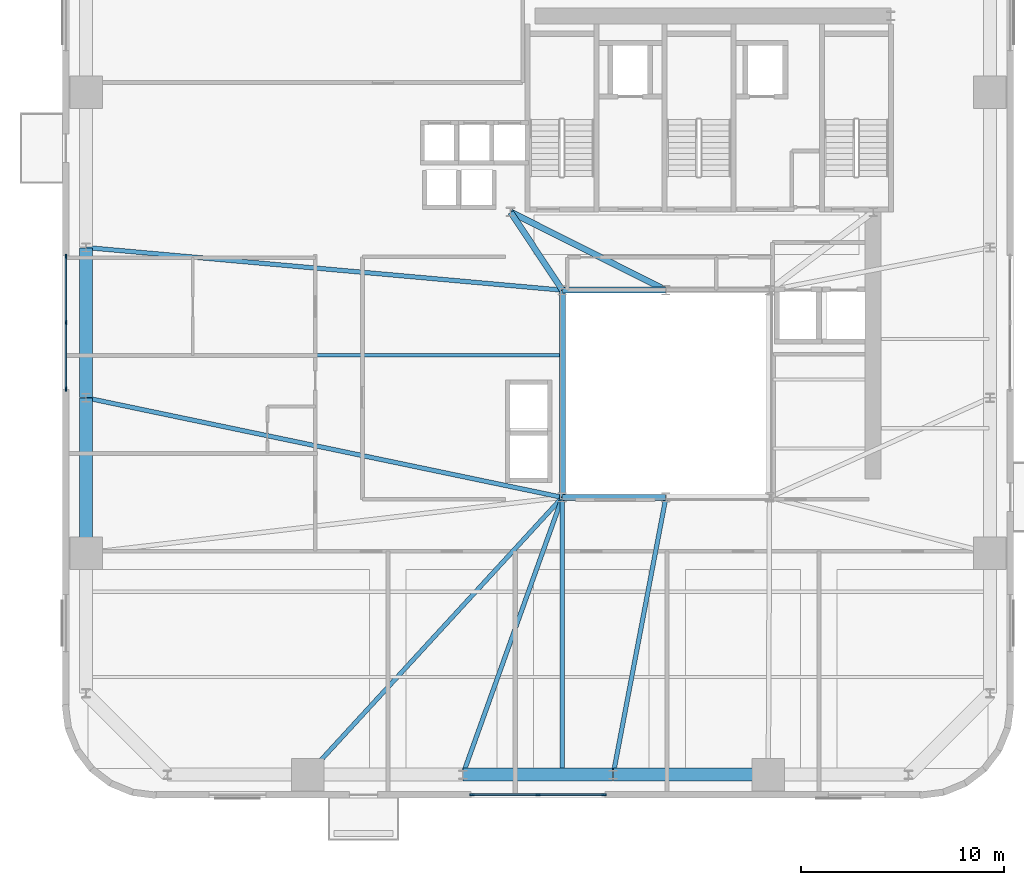
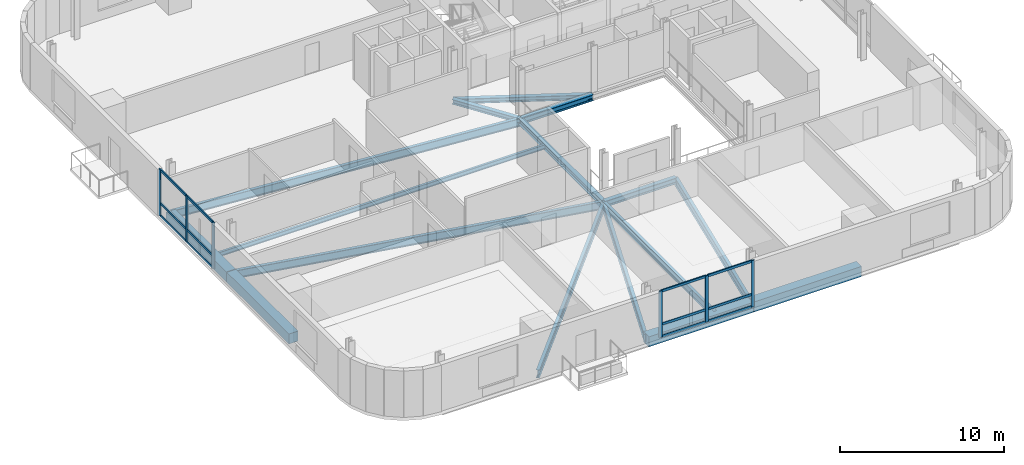
# One storey, part 2 of 12: 18 members, 16 beams, 2 elements without a shape of their own.
"""IFC4 building model written with IfcOpenShell, lengths in metres."""

from ifc_helpers import new_model, si_unit, direction, frame, origin, origin_2d, place, context, subcontext, project, spatial, rectangle, i_section, extrude, source, transform, mapped, material, material_profile, profile_set, type_object, element, aggregate, save


model = new_model("IFC4")

# Units and contexts
model_context = context("Model", 3, precision=1e-05, world=origin(), true_north=direction((0.0, 1.0)))
body_context = subcontext(model_context, "Body", "Model", "MODEL_VIEW")
ifc_project = project(units=[si_unit("LENGTHUNIT", "METRE"), si_unit("AREAUNIT", "SQUARE_METRE"), si_unit("VOLUMEUNIT", "CUBIC_METRE"), si_unit("PLANEANGLEUNIT", "RADIAN"), si_unit("MASSUNIT", "GRAM", prefix="KILO")], contexts=[model_context])

# Site, building, storey
site_placement = place(None, origin())
site = spatial("IfcSite", under=ifc_project, at=site_placement, CompositionType="ELEMENT")
building_placement = place(site_placement, origin())
building = spatial("IfcBuilding", under=site, at=building_placement, Name="Vardaveli Station Tower", CompositionType="ELEMENT")
storey_placement = place(building_placement, frame((0.0, 0.0, 118.699951171875)))
storey = spatial("IfcBuildingStorey", under=building, at=storey_placement, Name="L30", CompositionType="ELEMENT", Elevation=118.699951171875)

# Beams
ifc_material_1 = material(Name="Structural steel S355J2", Category="steel")
ifc_material_profile_1 = material_profile(ifc_material_1, i_section(OverallWidth=0.300048828125, OverallDepth=0.449951171875, WebThickness=0.013916015625, FlangeThickness=0.02587890625, FilletRadius=0.027099609375, at=origin_2d()), Name="HEB 450")
ifc_profile_set_1 = profile_set([ifc_material_profile_1], Name="Structural steel S355J2")
beam_type_1 = type_object("IfcBeamType", Name="BM-HEB450", PredefinedType="BEAM", material=ifc_profile_set_1)
shared_shape_1 = source(origin(), body_context, "Body", "SweptSolid", [
    extrude(i_section(OverallWidth=0.300048828125, OverallDepth=0.449951171875, WebThickness=0.013916015625, FlangeThickness=0.02587890625, FilletRadius=0.027099609375, at=origin_2d()), origin(), (0.0, 0.0, 1.0), 5.06005859375),
])
for number, where, z_axis, x_axis, name in (
    (1, (31.219970703125, 16.60009765625, -0.46484375), (1.0, 0.0, 0.0), (0.0, 1.0, 0.0), "ABM-L30-01"),
    (2, (36.280029296875, 26.800048828125, -0.46484375), (-1.0, 0.0, 0.0), (0.0, -1.0, 0.0), "ABM-L30-05"),
):
    element("IfcBeam", number, at=place(storey_placement, frame(where, z_axis=z_axis, x_axis=x_axis)), inside=storey, type_object=beam_type_1, Name=name, PredefinedType="BEAM", context=body_context, shape_type="MappedRepresentation", body=[
        mapped(shared_shape_1, transform((0.0, 0.0, 0.0), scale=1.0)),
    ])
shared_shape_2 = source(origin(), body_context, "Body", "SweptSolid", [
    extrude(i_section(OverallWidth=0.300048828125, OverallDepth=0.449951171875, WebThickness=0.013916015625, FlangeThickness=0.02587890625, FilletRadius=0.027099609375, at=origin_2d()), origin(), (0.0, 0.0, 1.0), 10.159912109375),
])
beam_1_placement = place(storey_placement, frame((31.199951171875, 26.780029296875, -0.46484375), z_axis=(0.0, -1.0, 0.0), x_axis=(1.0, 0.0, 0.0)))
element("IfcBeam", 3, at=beam_1_placement, inside=storey, type_object=beam_type_1, Name="ABM-L30-06", PredefinedType="BEAM", context=body_context, shape_type="MappedRepresentation", body=[
    mapped(shared_shape_2, transform((0.0, 0.0, 0.0), scale=1.0)),
])
ifc_material_profile_2 = material_profile(ifc_material_1, i_section(OverallWidth=0.300048828125, OverallDepth=0.360107421875, WebThickness=0.012451171875, FlangeThickness=0.0224609375, FilletRadius=0.027099609375, at=origin_2d()), Name="HEB 360")
ifc_profile_set_2 = profile_set([ifc_material_profile_2], Name="Structural steel S355J2")
beam_type_2 = type_object("IfcBeamType", Name="BM-HEB360", PredefinedType="BEAM", material=ifc_profile_set_2)
shared_shape_3 = source(origin(), body_context, "Body", "SweptSolid", [
    extrude(i_section(OverallWidth=0.300048828125, OverallDepth=0.360107421875, WebThickness=0.012451171875, FlangeThickness=0.0224609375, FilletRadius=0.027099609375, at=origin_2d()), origin(), (0.0, 0.0, 1.0), 4.577880859375),
])
beam_2_placement = place(storey_placement, frame((31.18896484375, 26.816650390625, -0.419921875), z_axis=(-0.55218702139, 0.833720272879, 0.0), x_axis=(-0.833720272879, -0.55218702139, 0.0)))
element("IfcBeam", 4, at=beam_2_placement, inside=storey, type_object=beam_type_2, Name="CBM-L30-01", PredefinedType="BEAM", context=body_context, shape_type="MappedRepresentation", body=[
    mapped(shared_shape_3, transform((0.0, 0.0, 0.0), scale=1.0)),
])
shared_shape_4 = source(origin(), body_context, "Body", "SweptSolid", [
    extrude(i_section(OverallWidth=0.300048828125, OverallDepth=0.360107421875, WebThickness=0.012451171875, FlangeThickness=0.0224609375, FilletRadius=0.027099609375, at=origin_2d()), origin(), (0.0, 0.0, 1.0), 8.524169921875),
])
beam_3_placement = place(storey_placement, frame((28.66796875, 30.64111328125, -0.419921875), z_axis=(0.893255584708, -0.449549174605, 0.0), x_axis=(0.449549174605, 0.893255584708, 0.0)))
element("IfcBeam", 5, at=beam_3_placement, inside=storey, type_object=beam_type_2, Name="CBM-L30-03", PredefinedType="BEAM", context=body_context, shape_type="MappedRepresentation", body=[
    mapped(shared_shape_4, transform((0.0, 0.0, 0.0), scale=1.0)),
])
ifc_material_2 = material(Name="Precast concrete C45/55", Category="concrete")
ifc_material_profile_3 = material_profile(ifc_material_2, rectangle(XDim=0.64990234375, YDim=0.75, at=origin_2d()), Name="LPB 650x750")
ifc_profile_set_3 = profile_set([ifc_material_profile_3], Name="Precast concrete C45/55")
beam_type_3 = type_object("IfcBeamType", Name="BM-LPB-750", PredefinedType="BEAM", material=ifc_profile_set_3)
shared_shape_5 = source(origin(), body_context, "Body", "SweptSolid", [
    extrude(rectangle(XDim=0.64990234375, YDim=0.75, at=origin_2d()), origin(), (0.0, 0.0, 1.0), 7.60009765625),
])
for number, where, z_axis, x_axis, name in (
    (6, (33.719970703125, 2.949951171875, -0.614990234375), (1.0, 0.0, 0.0), (0.0, 1.0, 0.0), "RBM-L30-03"),
    (7, (7.75, 21.47998046875, -0.614990234375), (0.0, -1.0, 0.0), (1.0, 0.0, 0.0), "RBM-L30-21"),
):
    element("IfcBeam", number, at=place(storey_placement, frame(where, z_axis=z_axis, x_axis=x_axis)), inside=storey, type_object=beam_type_3, Name=name, PredefinedType="BEAM", context=body_context, shape_type="MappedRepresentation", body=[
        mapped(shared_shape_5, transform((0.0, 0.0, 0.0), scale=1.0)),
    ])
shared_shape_6 = source(origin(), body_context, "Body", "SweptSolid", [
    extrude(rectangle(XDim=0.64990234375, YDim=0.75, at=origin_2d()), origin(), (0.0, 0.0, 1.0), 7.35986328125),
])
for number, where, z_axis, x_axis, name in (
    (8, (26.320068359375, 2.949951171875, -0.614990234375), (1.0, 0.0, 0.0), (0.0, 1.0, 0.0), "RBM-L30-02"),
    (9, (7.75, 28.8798828125, -0.614990234375), (0.0, -1.0, 0.0), (1.0, 0.0, 0.0), "RBM-L30-20"),
):
    element("IfcBeam", number, at=place(storey_placement, frame(where, z_axis=z_axis, x_axis=x_axis)), inside=storey, type_object=beam_type_3, Name=name, PredefinedType="BEAM", context=body_context, shape_type="MappedRepresentation", body=[
        mapped(shared_shape_6, transform((0.0, 0.0, 0.0), scale=1.0)),
    ])
ifc_material_profile_4 = material_profile(ifc_material_1, i_section(OverallWidth=0.2099609375, OverallDepth=0.550048828125, WebThickness=0.010986328125, FlangeThickness=0.01708984375, FilletRadius=0.02392578125, at=origin_2d()), Name="IPE 550")
ifc_profile_set_4 = profile_set([ifc_material_profile_4], Name="Structural steel S355J2")
beam_type_4 = type_object("IfcBeamType", Name="BM-IPE550", PredefinedType="BEAM", material=ifc_profile_set_4)
shared_shape_7 = source(origin(), body_context, "Body", "SweptSolid", [
    extrude(i_section(OverallWidth=0.2099609375, OverallDepth=0.550048828125, WebThickness=0.010986328125, FlangeThickness=0.01708984375, FilletRadius=0.02392578125, at=origin_2d()), origin(), (0.0, 0.0, 1.0), 13.469970703125),
])
beam_4_placement = place(storey_placement, frame((31.199951171875, 2.989990234375, -0.514892578125), z_axis=(0.0, 1.0, 0.0), x_axis=(-1.0, 0.0, 0.0)))
element("IfcBeam", 10, at=beam_4_placement, inside=storey, type_object=beam_type_4, Name="NSM-L30-S1", PredefinedType="BEAM", context=body_context, shape_type="MappedRepresentation", body=[
    mapped(shared_shape_7, transform((0.0, 0.0, 0.0), scale=1.0)),
])
ifc_material_profile_5 = material_profile(ifc_material_1, i_section(OverallWidth=0.159912109375, OverallDepth=0.330078125, WebThickness=0.007568359375, FlangeThickness=0.011474609375, FilletRadius=0.01806640625, at=origin_2d()), Name="IPE 330")
ifc_profile_set_5 = profile_set([ifc_material_profile_5], Name="Structural steel S355J2")
beam_type_5 = type_object("IfcBeamType", Name="BM-IPE330", PredefinedType="JOIST", material=ifc_profile_set_5)
shared_shape_8 = source(origin(), body_context, "Body", "SweptSolid", [
    extrude(i_section(OverallWidth=0.159912109375, OverallDepth=0.330078125, WebThickness=0.007568359375, FlangeThickness=0.011474609375, FilletRadius=0.01806640625, at=origin_2d()), origin(), (0.0, 0.0, 1.0), 23.2978515625),
])
beam_5_placement = place(storey_placement, frame((7.7900390625, 23.60009765625, -0.405029296875), z_axis=(1.0, 0.0, 0.0), x_axis=(0.0, 1.0, 0.0)))
element("IfcBeam", 11, at=beam_5_placement, inside=storey, type_object=beam_type_5, Name="SJ-L30-W06", PredefinedType="JOIST", context=body_context, shape_type="MappedRepresentation", body=[
    mapped(shared_shape_8, transform((0.0, 0.0, 0.0), scale=1.0)),
])
ifc_material_profile_6 = material_profile(ifc_material_1, i_section(OverallWidth=0.219970703125, OverallDepth=0.60009765625, WebThickness=0.011962890625, FlangeThickness=0.01904296875, FilletRadius=0.02392578125, at=origin_2d()), Name="IPE 600")
ifc_profile_set_6 = profile_set([ifc_material_profile_6], Name="Structural steel S355J2")
beam_type_6 = type_object("IfcBeamType", Name="BM-IPE600", PredefinedType="BEAM", material=ifc_profile_set_6)
shared_shape_9 = source(origin(), body_context, "Body", "SweptSolid", [
    extrude(i_section(OverallWidth=0.219970703125, OverallDepth=0.60009765625, WebThickness=0.011962890625, FlangeThickness=0.01904296875, FilletRadius=0.02392578125, at=origin_2d()), origin(), (0.0, 0.0, 1.0), 18.49560546875),
])
beam_6_placement = place(storey_placement, frame((18.673583984375, 2.96484375, -0.5400390625), z_axis=(0.676535341891, 0.736410165039, 0.0), x_axis=(-0.736410165039, 0.676535341891, 0.0)))
element("IfcBeam", 12, at=beam_6_placement, inside=storey, type_object=beam_type_6, Name="GBM-L30-01", PredefinedType="BEAM", context=body_context, shape_type="MappedRepresentation", body=[
    mapped(shared_shape_9, transform((0.0, 0.0, 0.0), scale=1.0)),
])
shared_shape_10 = source(origin(), body_context, "Body", "SweptSolid", [
    extrude(i_section(OverallWidth=0.219970703125, OverallDepth=0.60009765625, WebThickness=0.011962890625, FlangeThickness=0.01904296875, FilletRadius=0.02392578125, at=origin_2d()), origin(), (0.0, 0.0, 1.0), 14.462890625),
])
beam_7_placement = place(storey_placement, frame((26.306640625, 2.96875, -0.5400390625), z_axis=(0.337880090533, 0.941189165057, 0.0), x_axis=(-0.941189165057, 0.337880090533, 0.0)))
element("IfcBeam", 13, at=beam_7_placement, inside=storey, type_object=beam_type_6, Name="GBM-L30-02", PredefinedType="BEAM", context=body_context, shape_type="MappedRepresentation", body=[
    mapped(shared_shape_10, transform((0.0, 0.0, 0.0), scale=1.0)),
])
shared_shape_11 = source(origin(), body_context, "Body", "SweptSolid", [
    extrude(i_section(OverallWidth=0.219970703125, OverallDepth=0.60009765625, WebThickness=0.011962890625, FlangeThickness=0.01904296875, FilletRadius=0.02392578125, at=origin_2d()), origin(), (0.0, 0.0, 1.0), 13.855224609375),
])
beam_8_placement = place(storey_placement, frame((33.703857421875, 2.9697265625, -0.5400390625), z_axis=(0.187097533125, 0.982341342456, 0.0), x_axis=(-0.982341342456, 0.187097533125, 0.0)))
element("IfcBeam", 14, at=beam_8_placement, inside=storey, type_object=beam_type_6, Name="GBM-L30-03", PredefinedType="BEAM", context=body_context, shape_type="MappedRepresentation", body=[
    mapped(shared_shape_11, transform((0.0, 0.0, 0.0), scale=1.0)),
])
shared_shape_12 = source(origin(), body_context, "Body", "SweptSolid", [
    extrude(i_section(OverallWidth=0.219970703125, OverallDepth=0.60009765625, WebThickness=0.011962890625, FlangeThickness=0.01904296875, FilletRadius=0.02392578125, at=origin_2d()), origin(), (0.0, 0.0, 1.0), 23.50390625),
])
beam_9_placement = place(storey_placement, frame((7.77001953125, 28.898193359375, -0.5400390625), z_axis=(0.996014142198, -0.08919545135, 0.0), x_axis=(0.08919545135, 0.996014142198, 0.0)))
element("IfcBeam", 15, at=beam_9_placement, inside=storey, type_object=beam_type_6, Name="GBM-L30-08", PredefinedType="BEAM", context=body_context, shape_type="MappedRepresentation", body=[
    mapped(shared_shape_12, transform((0.0, 0.0, 0.0), scale=1.0)),
])
shared_shape_13 = source(origin(), body_context, "Body", "SweptSolid", [
    extrude(i_section(OverallWidth=0.219970703125, OverallDepth=0.60009765625, WebThickness=0.011962890625, FlangeThickness=0.01904296875, FilletRadius=0.02392578125, at=origin_2d()), origin(), (0.0, 0.0, 1.0), 23.91650390625),
])
beam_10_placement = place(storey_placement, frame((7.76953125, 21.495849609375, -0.5400390625), z_axis=(0.978858547354, -0.204538368703, 0.0), x_axis=(0.204538368703, 0.978858547354, 0.0)))
element("IfcBeam", 16, at=beam_10_placement, inside=storey, type_object=beam_type_6, Name="GBM-L30-09", PredefinedType="BEAM", context=body_context, shape_type="MappedRepresentation", body=[
    mapped(shared_shape_13, transform((0.0, 0.0, 0.0), scale=1.0)),
])

# Curtain wall, members
ifc_material_3 = material(Name="Travertine stone and solar-control glass", Category="masonry")
curtain_wall_type = type_object("IfcCurtainWallType", Name="CW-SYS-2", PredefinedType="NOTDEFINED", material=ifc_material_3)
curtain_wall_1_placement = place(storey_placement, origin())
curtain_wall_1 = element("IfcCurtainWall", 17, at=curtain_wall_1_placement, inside=storey, type_object=curtain_wall_type, Name="CW-L30-S", PredefinedType="NOTDEFINED")
ifc_material_4 = material(Name="Anodised aluminium alloy 6063-T6", Category="aluminium")
ifc_material_profile_7 = material_profile(ifc_material_4, rectangle(XDim=0.0849609375, YDim=0.179931640625, at=origin_2d()), Name="CWT 85x180")
ifc_profile_set_7 = profile_set([ifc_material_profile_7], Name="Anodised aluminium alloy 6063-T6")
member_type_1 = type_object("IfcMemberType", Name="CW-SYS-2-TRAN", PredefinedType="NOTDEFINED", material=ifc_profile_set_7)
shared_shape_14 = source(origin(), body_context, "Body", "SweptSolid", [
    extrude(rectangle(XDim=0.0849609375, YDim=0.179931640625, at=origin_2d()), origin(), (0.0, 0.0, 1.0), 3.172607421875),
])
member_1_placement = place(storey_placement, frame((26.784912109375, 1.9599609375, 0.04248046875), z_axis=(1.0, 0.0, 0.0), x_axis=(0.0, 1.0, 0.0)))
member_1 = element("IfcMember", 18, at=member_1_placement, type_object=member_type_1, Name="CW-2 transom 1.1", ObjectType="TRANSOM", PredefinedType="USERDEFINED", context=body_context, shape_type="MappedRepresentation", body=[
    mapped(shared_shape_14, transform((0.0, 0.0, 0.0), scale=1.0)),
])
member_2_placement = place(storey_placement, frame((26.784912109375, 1.9599609375, 0.949951171875), z_axis=(1.0, 0.0, 0.0), x_axis=(0.0, 1.0, 0.0)))
member_2 = element("IfcMember", 19, at=member_2_placement, type_object=member_type_1, Name="CW-2 transom 1.2", ObjectType="TRANSOM", PredefinedType="USERDEFINED", context=body_context, shape_type="MappedRepresentation", body=[
    mapped(shared_shape_14, transform((0.0, 0.0, 0.0), scale=1.0)),
])
member_3_placement = place(storey_placement, frame((26.784912109375, 1.9599609375, 3.41748046875), z_axis=(1.0, 0.0, 0.0), x_axis=(0.0, 1.0, 0.0)))
member_3 = element("IfcMember", 20, at=member_3_placement, type_object=member_type_1, Name="CW-2 transom 1.3", ObjectType="TRANSOM", PredefinedType="USERDEFINED", context=body_context, shape_type="MappedRepresentation", body=[
    mapped(shared_shape_14, transform((0.0, 0.0, 0.0), scale=1.0)),
])
member_4_placement = place(storey_placement, frame((30.04248046875, 1.9599609375, 0.04248046875), z_axis=(1.0, 0.0, 0.0), x_axis=(0.0, 1.0, 0.0)))
member_4 = element("IfcMember", 21, at=member_4_placement, type_object=member_type_1, Name="CW-2 transom 2.1", ObjectType="TRANSOM", PredefinedType="USERDEFINED", context=body_context, shape_type="MappedRepresentation", body=[
    mapped(shared_shape_14, transform((0.0, 0.0, 0.0), scale=1.0)),
])
member_5_placement = place(storey_placement, frame((30.04248046875, 1.9599609375, 0.949951171875), z_axis=(1.0, 0.0, 0.0), x_axis=(0.0, 1.0, 0.0)))
member_5 = element("IfcMember", 22, at=member_5_placement, type_object=member_type_1, Name="CW-2 transom 2.2", ObjectType="TRANSOM", PredefinedType="USERDEFINED", context=body_context, shape_type="MappedRepresentation", body=[
    mapped(shared_shape_14, transform((0.0, 0.0, 0.0), scale=1.0)),
])
member_6_placement = place(storey_placement, frame((30.04248046875, 1.9599609375, 3.41748046875), z_axis=(1.0, 0.0, 0.0), x_axis=(0.0, 1.0, 0.0)))
member_6 = element("IfcMember", 23, at=member_6_placement, type_object=member_type_1, Name="CW-2 transom 2.3", ObjectType="TRANSOM", PredefinedType="USERDEFINED", context=body_context, shape_type="MappedRepresentation", body=[
    mapped(shared_shape_14, transform((0.0, 0.0, 0.0), scale=1.0)),
])

curtain_wall_2_placement = place(storey_placement, origin())
curtain_wall_2 = element("IfcCurtainWall", 24, at=curtain_wall_2_placement, inside=storey, type_object=curtain_wall_type, Name="CW-L30-W", PredefinedType="NOTDEFINED")
member_7_placement = place(storey_placement, frame((6.760009765625, 28.4150390625, 0.04248046875), z_axis=(0.0, -1.0, 0.0), x_axis=(1.0, 0.0, 0.0)))
member_7 = element("IfcMember", 25, at=member_7_placement, type_object=member_type_1, Name="CW-2 transom 1.1", ObjectType="TRANSOM", PredefinedType="USERDEFINED", context=body_context, shape_type="MappedRepresentation", body=[
    mapped(shared_shape_14, transform((0.0, 0.0, 0.0), scale=1.0)),
])
member_8_placement = place(storey_placement, frame((6.760009765625, 28.4150390625, 0.949951171875), z_axis=(0.0, -1.0, 0.0), x_axis=(1.0, 0.0, 0.0)))
member_8 = element("IfcMember", 26, at=member_8_placement, type_object=member_type_1, Name="CW-2 transom 1.2", ObjectType="TRANSOM", PredefinedType="USERDEFINED", context=body_context, shape_type="MappedRepresentation", body=[
    mapped(shared_shape_14, transform((0.0, 0.0, 0.0), scale=1.0)),
])
member_9_placement = place(storey_placement, frame((6.760009765625, 28.4150390625, 3.41748046875), z_axis=(0.0, -1.0, 0.0), x_axis=(1.0, 0.0, 0.0)))
member_9 = element("IfcMember", 27, at=member_9_placement, type_object=member_type_1, Name="CW-2 transom 1.3", ObjectType="TRANSOM", PredefinedType="USERDEFINED", context=body_context, shape_type="MappedRepresentation", body=[
    mapped(shared_shape_14, transform((0.0, 0.0, 0.0), scale=1.0)),
])
shared_shape_15 = source(origin(), body_context, "Body", "SweptSolid", [
    extrude(rectangle(XDim=0.0849609375, YDim=0.179931640625, at=origin_2d()), origin(), (0.0, 0.0, 1.0), 3.17236328125),
])
member_10_placement = place(storey_placement, frame((6.760009765625, 25.157470703125, 0.04248046875), z_axis=(0.0, -1.0, 0.0), x_axis=(1.0, 0.0, 0.0)))
member_10 = element("IfcMember", 28, at=member_10_placement, type_object=member_type_1, Name="CW-2 transom 2.1", ObjectType="TRANSOM", PredefinedType="USERDEFINED", context=body_context, shape_type="MappedRepresentation", body=[
    mapped(shared_shape_15, transform((0.0, 0.0, 0.0), scale=1.0)),
])
member_11_placement = place(storey_placement, frame((6.760009765625, 25.157470703125, 0.949951171875), z_axis=(0.0, -1.0, 0.0), x_axis=(1.0, 0.0, 0.0)))
member_11 = element("IfcMember", 29, at=member_11_placement, type_object=member_type_1, Name="CW-2 transom 2.2", ObjectType="TRANSOM", PredefinedType="USERDEFINED", context=body_context, shape_type="MappedRepresentation", body=[
    mapped(shared_shape_15, transform((0.0, 0.0, 0.0), scale=1.0)),
])
member_12_placement = place(storey_placement, frame((6.760009765625, 25.157470703125, 3.41748046875), z_axis=(0.0, -1.0, 0.0), x_axis=(1.0, 0.0, 0.0)))
member_12 = element("IfcMember", 30, at=member_12_placement, type_object=member_type_1, Name="CW-2 transom 2.3", ObjectType="TRANSOM", PredefinedType="USERDEFINED", context=body_context, shape_type="MappedRepresentation", body=[
    mapped(shared_shape_15, transform((0.0, 0.0, 0.0), scale=1.0)),
])

# Member
ifc_material_profile_8 = material_profile(ifc_material_4, rectangle(XDim=0.0849609375, YDim=0.219970703125, at=origin_2d()), Name="CWM 85x220")
ifc_profile_set_8 = profile_set([ifc_material_profile_8], Name="Anodised aluminium alloy 6063-T6")
member_type_2 = type_object("IfcMemberType", Name="CW-SYS-2-MULL", PredefinedType="MULLION", material=ifc_profile_set_8)
shared_shape_16 = source(origin(), body_context, "Body", "SweptSolid", [
    extrude(rectangle(XDim=0.0849609375, YDim=0.219970703125, at=origin_2d()), origin(), (0.0, 0.0, 1.0), 3.4599609375),
])
member_13_placement = place(storey_placement, frame((26.742431640625, 1.9599609375, 0.0), z_axis=(0.0, 0.0, 1.0), x_axis=(0.0, 1.0, 0.0)))
member_13 = element("IfcMember", 31, at=member_13_placement, type_object=member_type_2, Name="CW-2 mullion 1", PredefinedType="MULLION", context=body_context, shape_type="MappedRepresentation", body=[
    mapped(shared_shape_16, transform((0.0, 0.0, 0.0), scale=1.0)),
])

member_14_placement = place(storey_placement, frame((30.0, 1.9599609375, 0.0), z_axis=(0.0, 0.0, 1.0), x_axis=(0.0, 1.0, 0.0)))
member_14 = element("IfcMember", 32, at=member_14_placement, type_object=member_type_2, Name="CW-2 mullion 2", PredefinedType="MULLION", context=body_context, shape_type="MappedRepresentation", body=[
    mapped(shared_shape_16, transform((0.0, 0.0, 0.0), scale=1.0)),
])

member_15_placement = place(storey_placement, frame((33.257568359375, 1.9599609375, 0.0), z_axis=(0.0, 0.0, 1.0), x_axis=(0.0, 1.0, 0.0)))
member_15 = element("IfcMember", 33, at=member_15_placement, type_object=member_type_2, Name="CW-2 mullion 3", PredefinedType="MULLION", context=body_context, shape_type="MappedRepresentation", body=[
    mapped(shared_shape_16, transform((0.0, 0.0, 0.0), scale=1.0)),
])

aggregate(curtain_wall_1, [member_13, member_14, member_15, member_1, member_2, member_3, member_4, member_5, member_6])

member_16_placement = place(storey_placement, frame((6.760009765625, 28.45751953125, 0.0), z_axis=(0.0, 0.0, 1.0), x_axis=(1.0, 0.0, 0.0)))
member_16 = element("IfcMember", 34, at=member_16_placement, type_object=member_type_2, Name="CW-2 mullion 1", PredefinedType="MULLION", context=body_context, shape_type="MappedRepresentation", body=[
    mapped(shared_shape_16, transform((0.0, 0.0, 0.0), scale=1.0)),
])

member_17_placement = place(storey_placement, frame((6.760009765625, 25.199951171875, 0.0), z_axis=(0.0, 0.0, 1.0), x_axis=(1.0, 0.0, 0.0)))
member_17 = element("IfcMember", 35, at=member_17_placement, type_object=member_type_2, Name="CW-2 mullion 2", PredefinedType="MULLION", context=body_context, shape_type="MappedRepresentation", body=[
    mapped(shared_shape_16, transform((0.0, 0.0, 0.0), scale=1.0)),
])

member_18_placement = place(storey_placement, frame((6.760009765625, 21.9423828125, 0.0), z_axis=(0.0, 0.0, 1.0), x_axis=(1.0, 0.0, 0.0)))
member_18 = element("IfcMember", 36, at=member_18_placement, type_object=member_type_2, Name="CW-2 mullion 3", PredefinedType="MULLION", context=body_context, shape_type="MappedRepresentation", body=[
    mapped(shared_shape_16, transform((0.0, 0.0, 0.0), scale=1.0)),
])

aggregate(curtain_wall_2, [member_16, member_17, member_18, member_7, member_8, member_9, member_10, member_11, member_12])

save(model, "model.ifc")
